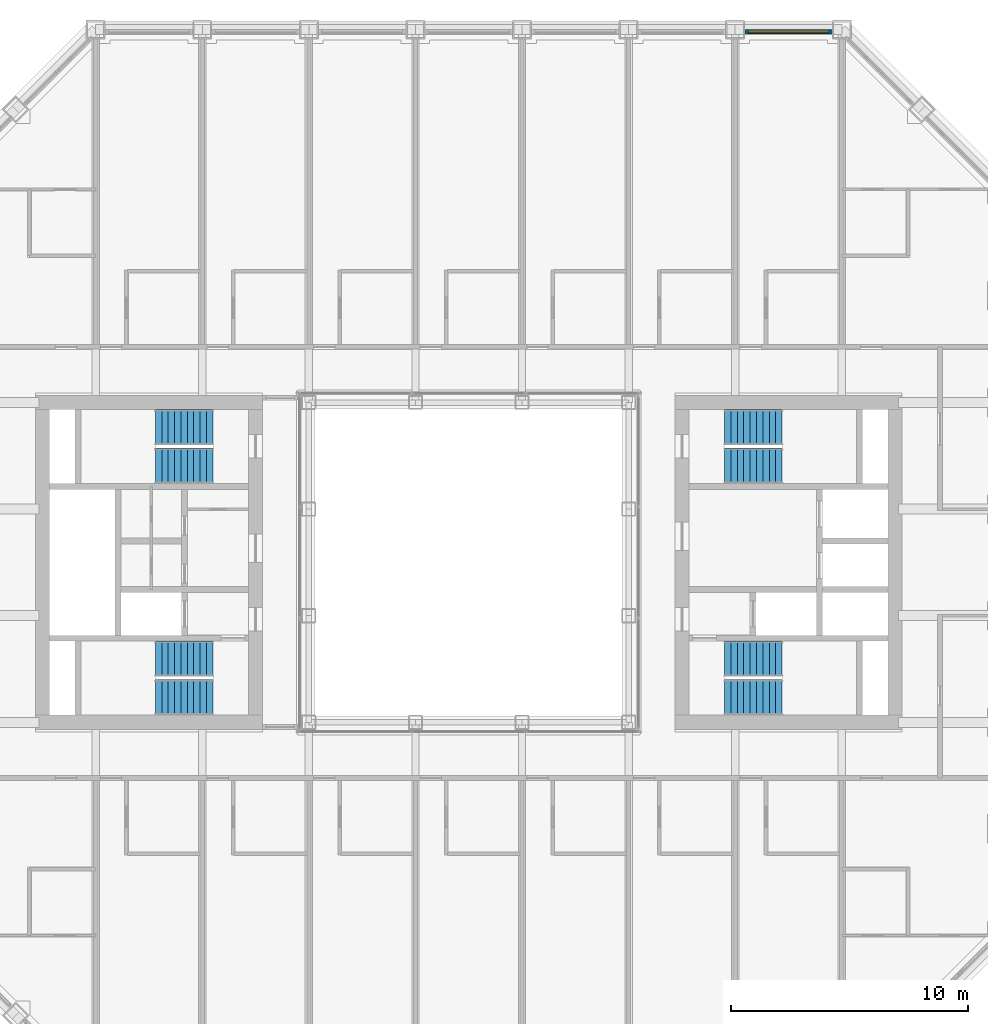
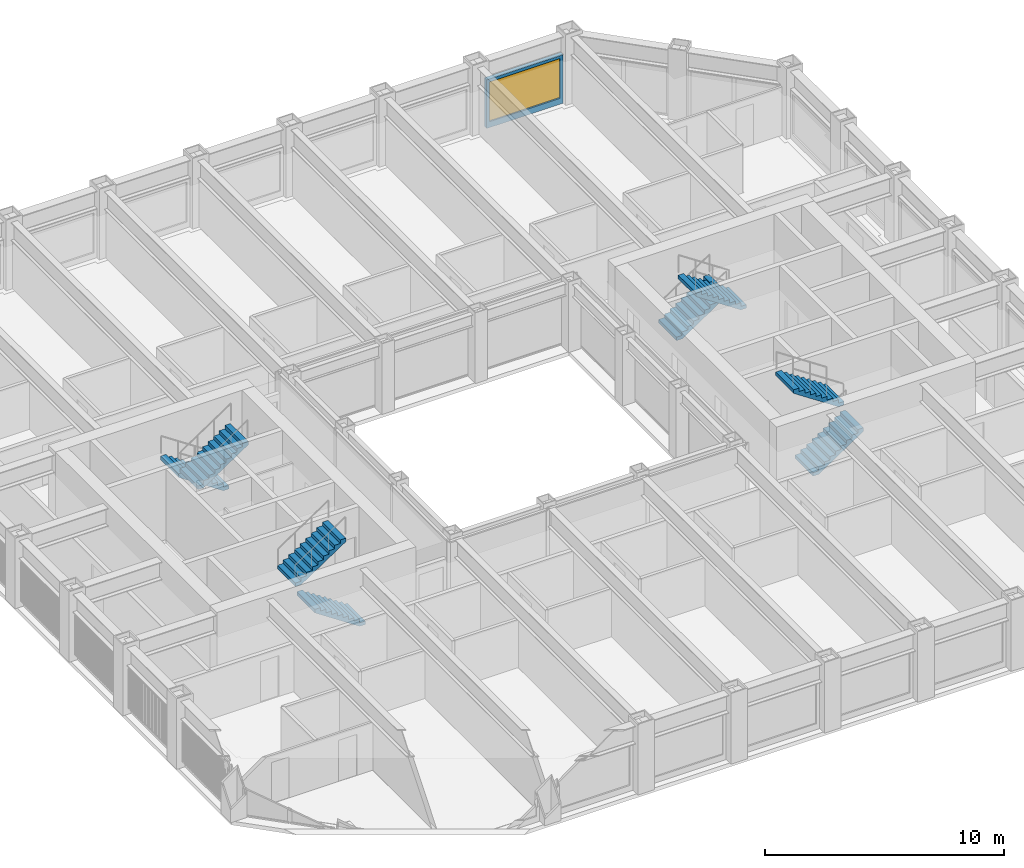
# One storey, part 15 of 18: 8 stair flights, 1 wall, 1 window, 1 opening, 4 elements without a shape of their own.
"""IFC4 building model written with IfcOpenShell, lengths in metres."""

from ifc_helpers import new_model, si_unit, direction, frame, frame_2d, origin, place, context, subcontext, project, spatial, polyline, rectangle, outline, extrude, material, layer, layer_set, type_object, element, fill, aggregate, save


model = new_model("IFC4")

# Units and contexts
model_context = context("Model", 3, precision=1e-05, world=origin(), true_north=direction((0.0, 1.0)))
body_context = subcontext(model_context, "Body", "Model", "MODEL_VIEW")
ifc_project = project(units=[si_unit("LENGTHUNIT", "METRE"), si_unit("AREAUNIT", "SQUARE_METRE"), si_unit("VOLUMEUNIT", "CUBIC_METRE"), si_unit("PLANEANGLEUNIT", "RADIAN"), si_unit("MASSUNIT", "GRAM", prefix="KILO")], contexts=[model_context])

# Site, building, storey
site_placement = place(None, origin())
site = spatial("IfcSite", under=ifc_project, at=site_placement, CompositionType="ELEMENT")
building_placement = place(site_placement, origin())
building = spatial("IfcBuilding", under=site, at=building_placement, Name="Msasa Ring Tower", CompositionType="ELEMENT")
storey_placement = place(building_placement, frame((0.0, 0.0, 118.39990234375)))
storey = spatial("IfcBuildingStorey", under=building, at=storey_placement, Name="L30", CompositionType="ELEMENT", Elevation=118.39990234375)

# Wall, opening, window
ifc_material_1 = material(Name="Terracotta rainscreen on blockwork", Category="masonry")
ifc_layer = layer(ifc_material_1, 0.199951171875)
ifc_layer_set = layer_set([ifc_layer], Name="FW1 TERRACOTTA-LINED INFILL BAY WALL 200")
wall_type = type_object("IfcWallType", Name="FW1 TERRACOTTA-LINED INFILL BAY WALL 200", PredefinedType="SOLIDWALL", material=ifc_layer_set)
wall_placement = place(storey_placement, frame((11.655029296875, 22.39990234375, 0.0), z_axis=(0.0, 0.0, 1.0), x_axis=(1.0, 0.0, 0.0)))
wall = element("IfcWall", 1, at=wall_placement, inside=storey, type_object=wall_type, Name="Infill bay wall N L30 24", PredefinedType="SOLIDWALL", context=body_context, shape_type="SweptSolid", body=[
    extrude(rectangle(XDim=3.68994140625, YDim=0.199951171875, at=frame_2d((1.844970703125, 0.0))), origin(), (0.0, 0.0, 1.0), 2.47900390625),
])
opening_placement = place(wall_placement, frame((0.14501953125, 0.0, 0.300048828125)))
opening = element("IfcOpeningElement", 2, at=opening_placement, cuts=wall, Name="Opening WN2", PredefinedType="OPENING", context=body_context, shape_type="SweptSolid", body=[
    extrude(rectangle(XDim=3.39990234375, YDim=2.029052734375, at=frame_2d((1.699951171875, 1.0146484375))), frame((0.0, 0.10986328125, 0.0), z_axis=(0.0, -1.0, 0.0), x_axis=(1.0, 0.0, 0.0)), (0.0, 0.0, 1.0), 0.219970703125),
])
ifc_material_2 = material(Name="Aluminium frame with clear glass", Category="aluminium")
window_type = type_object("IfcWindowType", Name="WN2 GUEST ROOM WINDOW 3400x2029", PartitioningType="SINGLE_PANEL", PredefinedType="WINDOW", material=ifc_material_2)
window_placement = place(opening_placement, origin())
window = element("IfcWindow", 3, at=window_placement, inside=storey, type_object=window_type, Name="Window N L30 24", OverallHeight=2.029052734375, OverallWidth=3.39990234375, PartitioningType="SINGLE_PANEL", PredefinedType="WINDOW", context=body_context, shape_type="SweptSolid", body=[
    extrude(rectangle(XDim=3.39990234375, YDim=2.029052734375, at=frame_2d((1.699951171875, 1.0146484375))), frame((0.0, 0.030029296875, 0.0), z_axis=(0.0, -1.0, 0.0), x_axis=(1.0, 0.0, 0.0)), (0.0, 0.0, 1.0), 0.06005859375),
])
fill(opening, window)

# Stair, stair flights
ifc_material_3 = material(Name="Concrete C40/50", Category="concrete")
stair_type = type_object("IfcStairType", Name="STC CORE STAIR 20 RISERS 180", PredefinedType="HALF_TURN_STAIR", material=ifc_material_3)
stair_1_placement = place(storey_placement, origin())
stair_1 = element("IfcStair", 4, at=stair_1_placement, inside=storey, type_object=stair_type, Name="Core stair SEA L30", PredefinedType="HALF_TURN_STAIR")
ifc_material_4 = material(Name="Concrete C40/50", Category="concrete")
stair_flight_type = type_object("IfcStairFlightType", Name="ST14 CORE STAIR FLIGHT 1500 10 RISERS 180", PredefinedType="STRAIGHT", material=ifc_material_4)
stair_flight_1_placement = place(storey_placement, frame((10.800048828125, -5.699951171875, 0.0), z_axis=(0.0, 0.0, 1.0), x_axis=(1.0, 0.0, 0.0)))
stair_flight_1 = element("IfcStairFlight", 5, at=stair_flight_1_placement, type_object=stair_flight_type, Name="SEA flight 1", NumberOfRisers=10, NumberOfTreads=9, PredefinedType="STRAIGHT", RiserHeight=0.18, TreadLength=0.27, context=body_context, shape_type="SweptSolid", body=[
    extrude(outline(polyline([(0.0, 0.0), (0.0, 0.179931640625), (0.27001953125, 0.179931640625), (0.27001953125, 0.360107421875), (0.5400390625, 0.360107421875), (0.5400390625, 0.5400390625), (0.81005859375, 0.5400390625), (0.81005859375, 0.719970703125), (1.080078125, 0.719970703125), (1.080078125, 0.89990234375), (1.35009765625, 0.89990234375), (1.35009765625, 1.080078125), (1.6201171875, 1.080078125), (1.6201171875, 1.260009765625), (1.889892578125, 1.260009765625), (1.889892578125, 1.43994140625), (2.159912109375, 1.43994140625), (2.159912109375, 1.6201171875), (2.429931640625, 1.6201171875), (2.429931640625, 1.800048828125), (2.429931640625, 1.43994140625), (0.270263671875, 0.0), (0.0, 0.0)])), frame((0.0, 0.75, 0.0), z_axis=(0.0, -1.0, 0.0), x_axis=(1.0, 0.0, 0.0)), (0.0, 0.0, 1.0), 1.5),
])
stair_flight_2_placement = place(storey_placement, frame((13.22998046875, -4.074951171875, 1.800048828125), z_axis=(0.0, 0.0, 1.0), x_axis=(-1.0, 0.0, 0.0)))
stair_flight_2 = element("IfcStairFlight", 6, at=stair_flight_2_placement, type_object=stair_flight_type, Name="SEA flight 2", NumberOfRisers=10, NumberOfTreads=9, PredefinedType="STRAIGHT", RiserHeight=0.18, TreadLength=0.27, context=body_context, shape_type="SweptSolid", body=[
    extrude(outline(polyline([(0.0, 0.0), (0.0, 0.179931640625), (0.27001953125, 0.179931640625), (0.27001953125, 0.360107421875), (0.5400390625, 0.360107421875), (0.5400390625, 0.5400390625), (0.81005859375, 0.5400390625), (0.81005859375, 0.719970703125), (1.080078125, 0.719970703125), (1.080078125, 0.89990234375), (1.35009765625, 0.89990234375), (1.35009765625, 1.080078125), (1.6201171875, 1.080078125), (1.6201171875, 1.260009765625), (1.889892578125, 1.260009765625), (1.889892578125, 1.43994140625), (2.159912109375, 1.43994140625), (2.159912109375, 1.6201171875), (2.429931640625, 1.6201171875), (2.429931640625, 1.800048828125), (2.429931640625, 1.43994140625), (0.270263671875, 0.0), (0.0, 0.0)])), frame((0.0, 0.75, 0.0), z_axis=(0.0, -1.0, 0.0), x_axis=(1.0, 0.0, 0.0)), (0.0, 0.0, 1.0), 1.5),
])
aggregate(stair_1, [stair_flight_1, stair_flight_2])

stair_2_placement = place(storey_placement, origin())
stair_2 = element("IfcStair", 7, at=stair_2_placement, inside=storey, type_object=stair_type, Name="Core stair SEB L30", PredefinedType="HALF_TURN_STAIR")
stair_flight_3_placement = place(storey_placement, frame((10.800048828125, 5.699951171875, 0.0), z_axis=(0.0, 0.0, 1.0), x_axis=(1.0, 0.0, 0.0)))
stair_flight_3 = element("IfcStairFlight", 8, at=stair_flight_3_placement, type_object=stair_flight_type, Name="SEB flight 1", NumberOfRisers=10, NumberOfTreads=9, PredefinedType="STRAIGHT", RiserHeight=0.18, TreadLength=0.27, context=body_context, shape_type="SweptSolid", body=[
    extrude(outline(polyline([(0.0, 0.0), (0.0, 0.179931640625), (0.27001953125, 0.179931640625), (0.27001953125, 0.360107421875), (0.5400390625, 0.360107421875), (0.5400390625, 0.5400390625), (0.81005859375, 0.5400390625), (0.81005859375, 0.719970703125), (1.080078125, 0.719970703125), (1.080078125, 0.89990234375), (1.35009765625, 0.89990234375), (1.35009765625, 1.080078125), (1.6201171875, 1.080078125), (1.6201171875, 1.260009765625), (1.889892578125, 1.260009765625), (1.889892578125, 1.43994140625), (2.159912109375, 1.43994140625), (2.159912109375, 1.6201171875), (2.429931640625, 1.6201171875), (2.429931640625, 1.800048828125), (2.429931640625, 1.43994140625), (0.270263671875, 0.0), (0.0, 0.0)])), frame((0.0, 0.75, 0.0), z_axis=(0.0, -1.0, 0.0), x_axis=(1.0, 0.0, 0.0)), (0.0, 0.0, 1.0), 1.5),
])
stair_flight_4_placement = place(storey_placement, frame((13.22998046875, 4.074951171875, 1.800048828125), z_axis=(0.0, 0.0, 1.0), x_axis=(-1.0, 0.0, 0.0)))
stair_flight_4 = element("IfcStairFlight", 9, at=stair_flight_4_placement, type_object=stair_flight_type, Name="SEB flight 2", NumberOfRisers=10, NumberOfTreads=9, PredefinedType="STRAIGHT", RiserHeight=0.18, TreadLength=0.27, context=body_context, shape_type="SweptSolid", body=[
    extrude(outline(polyline([(0.0, 0.0), (0.0, 0.179931640625), (0.27001953125, 0.179931640625), (0.27001953125, 0.360107421875), (0.5400390625, 0.360107421875), (0.5400390625, 0.5400390625), (0.81005859375, 0.5400390625), (0.81005859375, 0.719970703125), (1.080078125, 0.719970703125), (1.080078125, 0.89990234375), (1.35009765625, 0.89990234375), (1.35009765625, 1.080078125), (1.6201171875, 1.080078125), (1.6201171875, 1.260009765625), (1.889892578125, 1.260009765625), (1.889892578125, 1.43994140625), (2.159912109375, 1.43994140625), (2.159912109375, 1.6201171875), (2.429931640625, 1.6201171875), (2.429931640625, 1.800048828125), (2.429931640625, 1.43994140625), (0.270263671875, 0.0), (0.0, 0.0)])), frame((0.0, 0.75, 0.0), z_axis=(0.0, -1.0, 0.0), x_axis=(1.0, 0.0, 0.0)), (0.0, 0.0, 1.0), 1.5),
])
aggregate(stair_2, [stair_flight_3, stair_flight_4])

stair_3_placement = place(storey_placement, origin())
stair_3 = element("IfcStair", 10, at=stair_3_placement, inside=storey, type_object=stair_type, Name="Core stair SWA L30", PredefinedType="HALF_TURN_STAIR")
stair_flight_5_placement = place(storey_placement, frame((-10.800048828125, -5.699951171875, 0.0), z_axis=(0.0, 0.0, 1.0), x_axis=(-1.0, 0.0, 0.0)))
stair_flight_5 = element("IfcStairFlight", 11, at=stair_flight_5_placement, type_object=stair_flight_type, Name="SWA flight 1", NumberOfRisers=10, NumberOfTreads=9, PredefinedType="STRAIGHT", RiserHeight=0.18, TreadLength=0.27, context=body_context, shape_type="SweptSolid", body=[
    extrude(outline(polyline([(0.0, 0.0), (0.0, 0.179931640625), (0.27001953125, 0.179931640625), (0.27001953125, 0.360107421875), (0.5400390625, 0.360107421875), (0.5400390625, 0.5400390625), (0.81005859375, 0.5400390625), (0.81005859375, 0.719970703125), (1.080078125, 0.719970703125), (1.080078125, 0.89990234375), (1.35009765625, 0.89990234375), (1.35009765625, 1.080078125), (1.6201171875, 1.080078125), (1.6201171875, 1.260009765625), (1.889892578125, 1.260009765625), (1.889892578125, 1.43994140625), (2.159912109375, 1.43994140625), (2.159912109375, 1.6201171875), (2.429931640625, 1.6201171875), (2.429931640625, 1.800048828125), (2.429931640625, 1.43994140625), (0.270263671875, 0.0), (0.0, 0.0)])), frame((0.0, 0.75, 0.0), z_axis=(0.0, -1.0, 0.0), x_axis=(1.0, 0.0, 0.0)), (0.0, 0.0, 1.0), 1.5),
])
stair_flight_6_placement = place(storey_placement, frame((-13.22998046875, -4.074951171875, 1.800048828125), z_axis=(0.0, 0.0, 1.0), x_axis=(1.0, 0.0, 0.0)))
stair_flight_6 = element("IfcStairFlight", 12, at=stair_flight_6_placement, type_object=stair_flight_type, Name="SWA flight 2", NumberOfRisers=10, NumberOfTreads=9, PredefinedType="STRAIGHT", RiserHeight=0.18, TreadLength=0.27, context=body_context, shape_type="SweptSolid", body=[
    extrude(outline(polyline([(0.0, 0.0), (0.0, 0.179931640625), (0.27001953125, 0.179931640625), (0.27001953125, 0.360107421875), (0.5400390625, 0.360107421875), (0.5400390625, 0.5400390625), (0.81005859375, 0.5400390625), (0.81005859375, 0.719970703125), (1.080078125, 0.719970703125), (1.080078125, 0.89990234375), (1.35009765625, 0.89990234375), (1.35009765625, 1.080078125), (1.6201171875, 1.080078125), (1.6201171875, 1.260009765625), (1.889892578125, 1.260009765625), (1.889892578125, 1.43994140625), (2.159912109375, 1.43994140625), (2.159912109375, 1.6201171875), (2.429931640625, 1.6201171875), (2.429931640625, 1.800048828125), (2.429931640625, 1.43994140625), (0.270263671875, 0.0), (0.0, 0.0)])), frame((0.0, 0.75, 0.0), z_axis=(0.0, -1.0, 0.0), x_axis=(1.0, 0.0, 0.0)), (0.0, 0.0, 1.0), 1.5),
])
aggregate(stair_3, [stair_flight_5, stair_flight_6])

stair_4_placement = place(storey_placement, origin())
stair_4 = element("IfcStair", 13, at=stair_4_placement, inside=storey, type_object=stair_type, Name="Core stair SWB L30", PredefinedType="HALF_TURN_STAIR")
stair_flight_7_placement = place(storey_placement, frame((-10.800048828125, 5.699951171875, 0.0), z_axis=(0.0, 0.0, 1.0), x_axis=(-1.0, 0.0, 0.0)))
stair_flight_7 = element("IfcStairFlight", 14, at=stair_flight_7_placement, type_object=stair_flight_type, Name="SWB flight 1", NumberOfRisers=10, NumberOfTreads=9, PredefinedType="STRAIGHT", RiserHeight=0.18, TreadLength=0.27, context=body_context, shape_type="SweptSolid", body=[
    extrude(outline(polyline([(0.0, 0.0), (0.0, 0.179931640625), (0.27001953125, 0.179931640625), (0.27001953125, 0.360107421875), (0.5400390625, 0.360107421875), (0.5400390625, 0.5400390625), (0.81005859375, 0.5400390625), (0.81005859375, 0.719970703125), (1.080078125, 0.719970703125), (1.080078125, 0.89990234375), (1.35009765625, 0.89990234375), (1.35009765625, 1.080078125), (1.6201171875, 1.080078125), (1.6201171875, 1.260009765625), (1.889892578125, 1.260009765625), (1.889892578125, 1.43994140625), (2.159912109375, 1.43994140625), (2.159912109375, 1.6201171875), (2.429931640625, 1.6201171875), (2.429931640625, 1.800048828125), (2.429931640625, 1.43994140625), (0.270263671875, 0.0), (0.0, 0.0)])), frame((0.0, 0.75, 0.0), z_axis=(0.0, -1.0, 0.0), x_axis=(1.0, 0.0, 0.0)), (0.0, 0.0, 1.0), 1.5),
])
stair_flight_8_placement = place(storey_placement, frame((-13.22998046875, 4.074951171875, 1.800048828125), z_axis=(0.0, 0.0, 1.0), x_axis=(1.0, 0.0, 0.0)))
stair_flight_8 = element("IfcStairFlight", 15, at=stair_flight_8_placement, type_object=stair_flight_type, Name="SWB flight 2", NumberOfRisers=10, NumberOfTreads=9, PredefinedType="STRAIGHT", RiserHeight=0.18, TreadLength=0.27, context=body_context, shape_type="SweptSolid", body=[
    extrude(outline(polyline([(0.0, 0.0), (0.0, 0.179931640625), (0.27001953125, 0.179931640625), (0.27001953125, 0.360107421875), (0.5400390625, 0.360107421875), (0.5400390625, 0.5400390625), (0.81005859375, 0.5400390625), (0.81005859375, 0.719970703125), (1.080078125, 0.719970703125), (1.080078125, 0.89990234375), (1.35009765625, 0.89990234375), (1.35009765625, 1.080078125), (1.6201171875, 1.080078125), (1.6201171875, 1.260009765625), (1.889892578125, 1.260009765625), (1.889892578125, 1.43994140625), (2.159912109375, 1.43994140625), (2.159912109375, 1.6201171875), (2.429931640625, 1.6201171875), (2.429931640625, 1.800048828125), (2.429931640625, 1.43994140625), (0.270263671875, 0.0), (0.0, 0.0)])), frame((0.0, 0.75, 0.0), z_axis=(0.0, -1.0, 0.0), x_axis=(1.0, 0.0, 0.0)), (0.0, 0.0, 1.0), 1.5),
])
aggregate(stair_4, [stair_flight_7, stair_flight_8])

save(model, "model.ifc")
